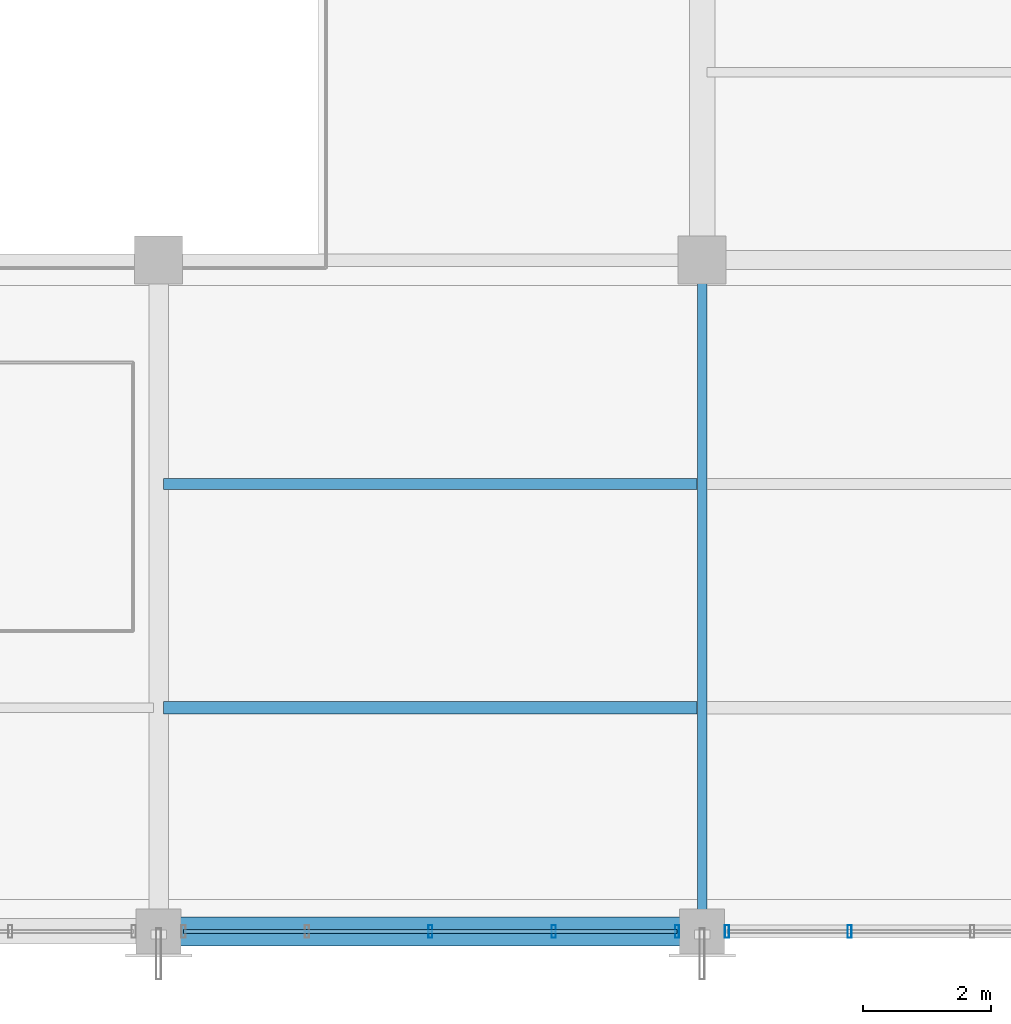
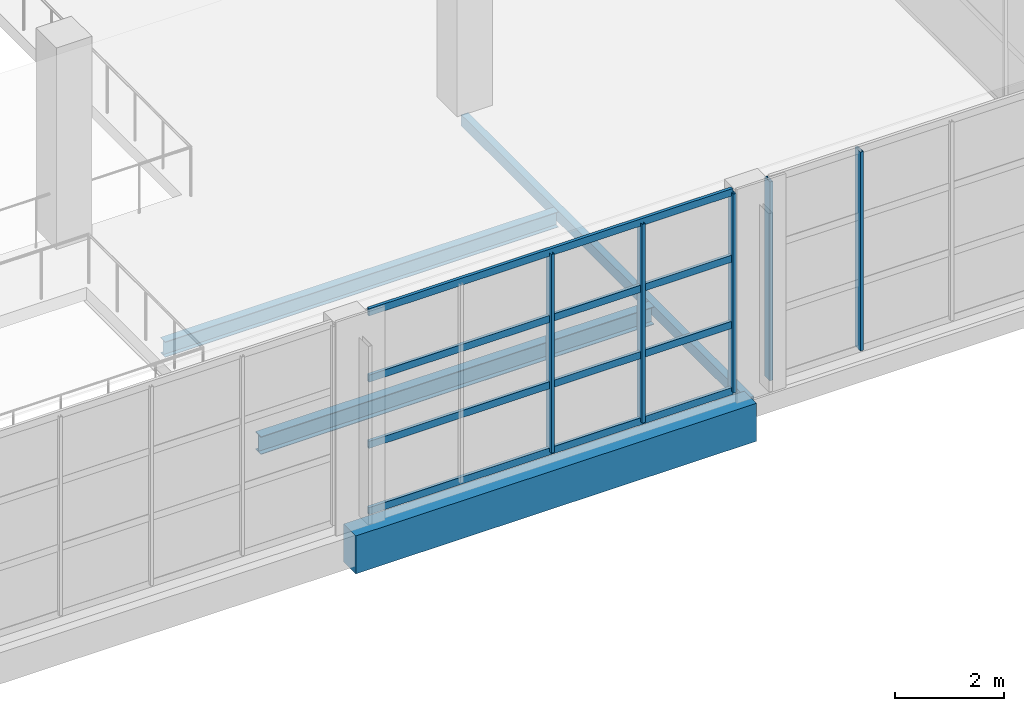
# One storey, part 22 of 101: 9 members, 4 beams, 2 elements without a shape of their own.
"""IFC4 building model written with IfcOpenShell, lengths in metres."""

from ifc_helpers import new_model, si_unit, direction, frame, origin, origin_2d, place, context, subcontext, project, spatial, rectangle, hollow_rectangle, i_section, extrude, material, material_profile, profile_set, type_object, element, aggregate, save


model = new_model("IFC4")

# Units and contexts
model_context = context("Model", 3, precision=1e-05, world=origin(), true_north=direction((0.0, 1.0)))
body_context = subcontext(model_context, "Body", "Model", "MODEL_VIEW")
ifc_project = project(units=[si_unit("LENGTHUNIT", "METRE"), si_unit("AREAUNIT", "SQUARE_METRE"), si_unit("VOLUMEUNIT", "CUBIC_METRE"), si_unit("PLANEANGLEUNIT", "RADIAN"), si_unit("MASSUNIT", "GRAM", prefix="KILO")], contexts=[model_context])

# Site, building, storey
site_placement = place(None, origin())
site = spatial("IfcSite", under=ifc_project, at=site_placement, CompositionType="ELEMENT")
building_placement = place(site_placement, origin())
building = spatial("IfcBuilding", under=site, at=building_placement, Name="Solvikara Media Centre", CompositionType="ELEMENT")
storey_placement = place(building_placement, frame((0.0, 0.0, 10.199951171875)))
storey = spatial("IfcBuildingStorey", under=building, at=storey_placement, Name="L02", CompositionType="ELEMENT", Elevation=10.199951171875)

# Beams
ifc_material_1 = material(Name="Concrete fc' 35 MPa (C35/45)", Category="concrete")
ifc_material_profile_1 = material_profile(ifc_material_1, rectangle(XDim=0.449951171875, YDim=0.85009765625, at=origin_2d()), Name="RC 450x850")
ifc_profile_set_1 = profile_set([ifc_material_profile_1], Name="Concrete fc' 35 MPa (C35/45)")
beam_type_1 = type_object("IfcBeamType", Name="BM-14", PredefinedType="SPANDREL", material=ifc_profile_set_1)
beam_1_placement = place(storey_placement, frame((59.5, 0.0, -0.704833984375), z_axis=(1.0, 0.0, 0.0), x_axis=(0.0, 1.0, 0.0)))
element("IfcBeam", 1, at=beam_1_placement, inside=storey, type_object=beam_type_1, Name="B-L02-X0826", PredefinedType="SPANDREL", context=body_context, shape_type="SweptSolid", body=[
    extrude(rectangle(XDim=0.449951171875, YDim=0.85009765625, at=origin_2d()), origin(), (0.0, 0.0, 1.0), 8.5),
])
ifc_material_2 = material(Name="Steel S355JR", Category="steel")
ifc_material_profile_2 = material_profile(ifc_material_2, i_section(OverallWidth=0.199951171875, OverallDepth=0.39990234375, WebThickness=0.008056640625, FlangeThickness=0.012939453125, at=origin_2d()), Name="WF 400x200x8x13")
ifc_profile_set_2 = profile_set([ifc_material_profile_2], Name="Steel S355JR")
beam_type_2 = type_object("IfcBeamType", Name="BM-21", PredefinedType="JOIST", material=ifc_profile_set_2)
beam_2_placement = place(storey_placement, frame((59.577880859375, 3.5, -0.48193359375), z_axis=(1.0, 0.0, 0.0), x_axis=(0.0, 1.0, 0.0)))
element("IfcBeam", 2, at=beam_2_placement, inside=storey, type_object=beam_type_2, Name="J-L02-1113", PredefinedType="JOIST", context=body_context, shape_type="SweptSolid", body=[
    extrude(i_section(OverallWidth=0.199951171875, OverallDepth=0.39990234375, WebThickness=0.008056640625, FlangeThickness=0.012939453125, at=origin_2d()), origin(), (0.0, 0.0, 1.0), 8.34423828125),
])
ifc_material_profile_3 = material_profile(ifc_material_2, i_section(OverallWidth=0.175048828125, OverallDepth=0.35009765625, WebThickness=0.007080078125, FlangeThickness=0.010986328125, at=origin_2d()), Name="WF 350x175x7x11")
ifc_profile_set_3 = profile_set([ifc_material_profile_3], Name="Steel S355JR")
beam_type_3 = type_object("IfcBeamType", Name="BM-22", PredefinedType="JOIST", material=ifc_profile_set_3)
beam_3_placement = place(storey_placement, frame((59.577880859375, 7.0, -0.45703125), z_axis=(1.0, 0.0, 0.0), x_axis=(0.0, 1.0, 0.0)))
element("IfcBeam", 3, at=beam_3_placement, inside=storey, type_object=beam_type_3, Name="J-L02-1114", PredefinedType="JOIST", context=body_context, shape_type="SweptSolid", body=[
    extrude(i_section(OverallWidth=0.175048828125, OverallDepth=0.35009765625, WebThickness=0.007080078125, FlangeThickness=0.010986328125, at=origin_2d()), origin(), (0.0, 0.0, 1.0), 8.34423828125),
])
ifc_material_profile_4 = material_profile(ifc_material_2, hollow_rectangle(XDim=0.14990234375, YDim=0.25, WallThickness=0.008056640625, at=origin_2d()), Name="RHS 250x150x8")
ifc_profile_set_4 = profile_set([ifc_material_profile_4], Name="Steel S355JR")
beam_type_4 = type_object("IfcBeamType", Name="BM-36", PredefinedType="JOIST", material=ifc_profile_set_4)
beam_4_placement = place(storey_placement, frame((68.0, 0.0, -0.406982421875), z_axis=(0.0, 1.0, 0.0), x_axis=(-1.0, 0.0, 0.0)))
element("IfcBeam", 4, at=beam_4_placement, inside=storey, type_object=beam_type_4, Name="B-L02-Y0966", PredefinedType="JOIST", context=body_context, shape_type="SweptSolid", body=[
    extrude(hollow_rectangle(XDim=0.14990234375, YDim=0.25, WallThickness=0.008056640625, at=origin_2d()), origin(), (0.0, 0.0, 1.0), 10.5),
])

# Curtain wall, members
ifc_material_3 = material(Name="Anodised aluminium EN AW-6063", Category="aluminium")
curtain_wall_type = type_object("IfcCurtainWallType", Name="CW-04", PredefinedType="NOTDEFINED", material=ifc_material_3)
curtain_wall_1_placement = place(storey_placement, origin())
curtain_wall_1 = element("IfcCurtainWall", 5, at=curtain_wall_1_placement, inside=storey, type_object=curtain_wall_type, Name="CW-L02-V6S-4", PredefinedType="NOTDEFINED")
ifc_material_profile_5 = material_profile(ifc_material_3, hollow_rectangle(XDim=0.06494140625, YDim=0.199951171875, WallThickness=0.00390625, at=origin_2d()), Name="ALU-M 65x200x4")
ifc_profile_set_5 = profile_set([ifc_material_profile_5], Name="Anodised aluminium EN AW-6063")
member_type_1 = type_object("IfcMemberType", Name="MF-02", PredefinedType="MULLION", material=ifc_profile_set_5)
member_1_placement = place(storey_placement, frame((63.75, 0.0, 0.02001953125), z_axis=(0.0, 0.0, 1.0), x_axis=(1.0, 0.0, 0.0)))
member_1 = element("IfcMember", 6, at=member_1_placement, type_object=member_type_1, Name="CW-L02-V6S-4-M02", PredefinedType="MULLION", context=body_context, shape_type="SweptSolid", body=[
    extrude(hollow_rectangle(XDim=0.06494140625, YDim=0.199951171875, WallThickness=0.00390625, at=origin_2d()), origin(), (0.0, 0.0, 1.0), 4.4599609375),
])
member_2_placement = place(storey_placement, frame((65.679931640625, 0.0, 0.02001953125), z_axis=(0.0, 0.0, 1.0), x_axis=(1.0, 0.0, 0.0)))
member_2 = element("IfcMember", 7, at=member_2_placement, type_object=member_type_1, Name="CW-L02-V6S-4-M03", PredefinedType="MULLION", context=body_context, shape_type="SweptSolid", body=[
    extrude(hollow_rectangle(XDim=0.06494140625, YDim=0.199951171875, WallThickness=0.00390625, at=origin_2d()), origin(), (0.0, 0.0, 1.0), 4.4599609375),
])
member_3_placement = place(storey_placement, frame((67.610107421875, 0.0, 0.02001953125), z_axis=(0.0, 0.0, 1.0), x_axis=(1.0, 0.0, 0.0)))
member_3 = element("IfcMember", 8, at=member_3_placement, type_object=member_type_1, Name="CW-L02-V6S-4-M04", PredefinedType="MULLION", context=body_context, shape_type="SweptSolid", body=[
    extrude(hollow_rectangle(XDim=0.06494140625, YDim=0.199951171875, WallThickness=0.00390625, at=origin_2d()), origin(), (0.0, 0.0, 1.0), 4.4599609375),
])

curtain_wall_2_placement = place(storey_placement, origin())
curtain_wall_2 = element("IfcCurtainWall", 9, at=curtain_wall_2_placement, inside=storey, type_object=curtain_wall_type, Name="CW-L02-V6S-5", PredefinedType="NOTDEFINED")
member_4_placement = place(storey_placement, frame((68.389892578125, 0.0, 0.02001953125), z_axis=(0.0, 0.0, 1.0), x_axis=(1.0, 0.0, 0.0)))
member_4 = element("IfcMember", 10, at=member_4_placement, type_object=member_type_1, Name="CW-L02-V6S-5-M00", PredefinedType="MULLION", context=body_context, shape_type="SweptSolid", body=[
    extrude(hollow_rectangle(XDim=0.06494140625, YDim=0.199951171875, WallThickness=0.00390625, at=origin_2d()), origin(), (0.0, 0.0, 1.0), 4.4599609375),
])
member_5_placement = place(storey_placement, frame((70.30810546875, 0.0, 0.02001953125), z_axis=(0.0, 0.0, 1.0), x_axis=(1.0, 0.0, 0.0)))
member_5 = element("IfcMember", 11, at=member_5_placement, type_object=member_type_1, Name="CW-L02-V6S-5-M01", PredefinedType="MULLION", context=body_context, shape_type="SweptSolid", body=[
    extrude(hollow_rectangle(XDim=0.06494140625, YDim=0.199951171875, WallThickness=0.00390625, at=origin_2d()), origin(), (0.0, 0.0, 1.0), 4.4599609375),
])
aggregate(curtain_wall_2, [member_4, member_5])

# Member
ifc_material_profile_6 = material_profile(ifc_material_3, hollow_rectangle(XDim=0.06494140625, YDim=0.159912109375, WallThickness=0.00341796875, at=origin_2d()), Name="ALU-T 65x160x3.5")
ifc_profile_set_6 = profile_set([ifc_material_profile_6], Name="Anodised aluminium EN AW-6063")
member_type_2 = type_object("IfcMemberType", Name="MF-08", PredefinedType="USERDEFINED", material=ifc_profile_set_6)
member_6_placement = place(storey_placement, frame((59.889892578125, 0.0, 0.02001953125), z_axis=(1.0, 0.0, 0.0), x_axis=(0.0, 1.0, 0.0)))
member_6 = element("IfcMember", 12, at=member_6_placement, type_object=member_type_2, Name="CW-L02-V6S-4-T00", ObjectType="TRANSOM", PredefinedType="USERDEFINED", context=body_context, shape_type="SweptSolid", body=[
    extrude(hollow_rectangle(XDim=0.06494140625, YDim=0.159912109375, WallThickness=0.00341796875, at=origin_2d()), origin(), (0.0, 0.0, 1.0), 7.72021484375),
])

member_7_placement = place(storey_placement, frame((59.889892578125, 0.0, 1.507080078125), z_axis=(1.0, 0.0, 0.0), x_axis=(0.0, 1.0, 0.0)))
member_7 = element("IfcMember", 13, at=member_7_placement, type_object=member_type_2, Name="CW-L02-V6S-4-T01", ObjectType="TRANSOM", PredefinedType="USERDEFINED", context=body_context, shape_type="SweptSolid", body=[
    extrude(hollow_rectangle(XDim=0.06494140625, YDim=0.159912109375, WallThickness=0.00341796875, at=origin_2d()), origin(), (0.0, 0.0, 1.0), 7.72021484375),
])

member_8_placement = place(storey_placement, frame((59.889892578125, 0.0, 2.9931640625), z_axis=(1.0, 0.0, 0.0), x_axis=(0.0, 1.0, 0.0)))
member_8 = element("IfcMember", 14, at=member_8_placement, type_object=member_type_2, Name="CW-L02-V6S-4-T02", ObjectType="TRANSOM", PredefinedType="USERDEFINED", context=body_context, shape_type="SweptSolid", body=[
    extrude(hollow_rectangle(XDim=0.06494140625, YDim=0.159912109375, WallThickness=0.00341796875, at=origin_2d()), origin(), (0.0, 0.0, 1.0), 7.72021484375),
])

member_9_placement = place(storey_placement, frame((59.889892578125, 0.0, 4.47998046875), z_axis=(1.0, 0.0, 0.0), x_axis=(0.0, 1.0, 0.0)))
member_9 = element("IfcMember", 15, at=member_9_placement, type_object=member_type_2, Name="CW-L02-V6S-4-T03", ObjectType="TRANSOM", PredefinedType="USERDEFINED", context=body_context, shape_type="SweptSolid", body=[
    extrude(hollow_rectangle(XDim=0.06494140625, YDim=0.159912109375, WallThickness=0.00341796875, at=origin_2d()), origin(), (0.0, 0.0, 1.0), 7.72021484375),
])

aggregate(curtain_wall_1, [member_1, member_2, member_3, member_6, member_7, member_8, member_9])

save(model, "model.ifc")
